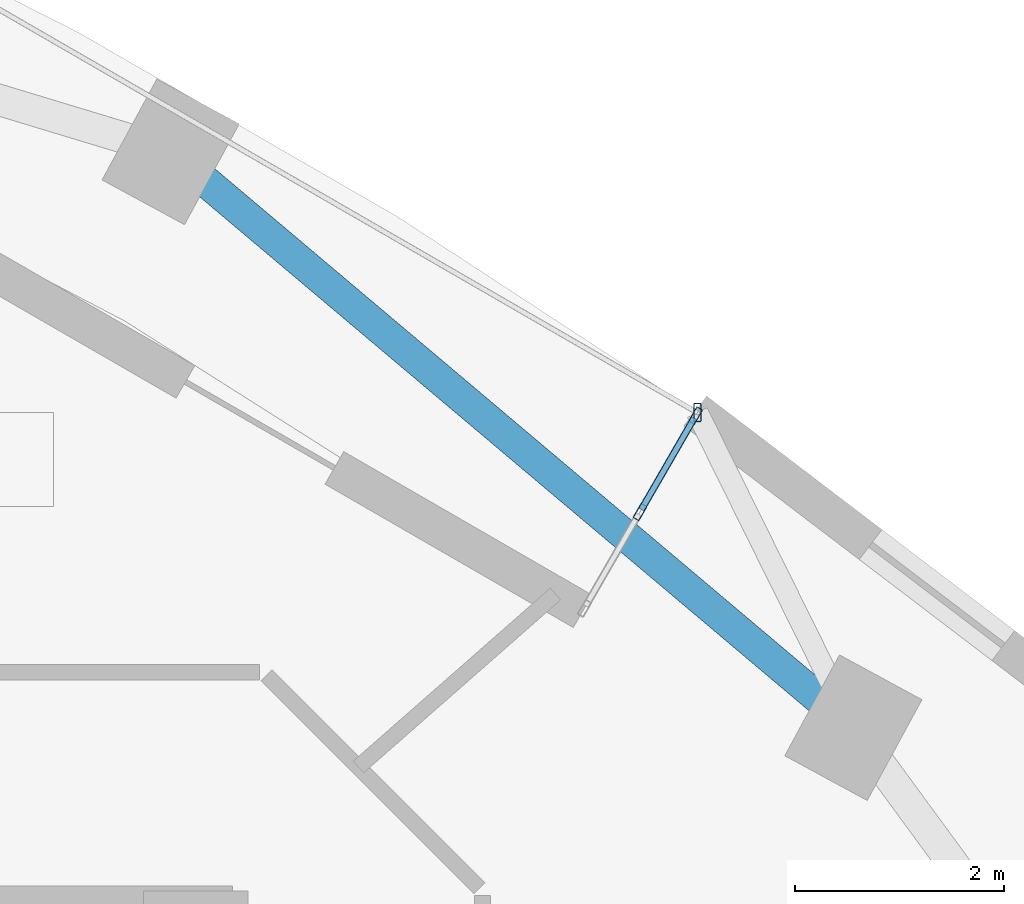
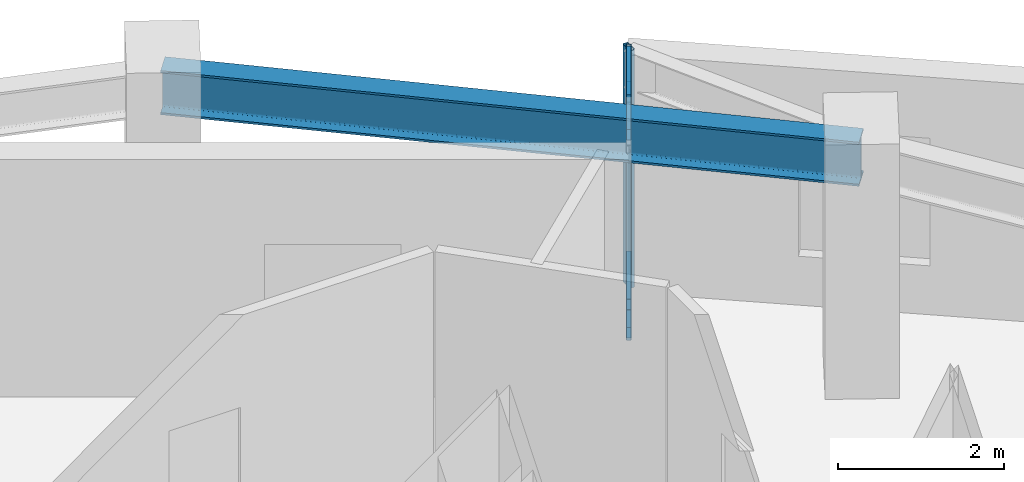
# One storey, part 5 of 13: 7 members, 1 beam, 1 element without a shape of its own.
"""IFC4 building model written with IfcOpenShell, lengths in metres."""

from ifc_helpers import new_model, si_unit, direction, frame, origin, origin_2d, place, context, subcontext, project, spatial, hollow_rectangle, i_section, extrude, material, layer, layer_set, material_profile, profile_set, type_object, element, aggregate, save


model = new_model("IFC4")

# Units and contexts
model_context = context("Model", 3, precision=1e-05, world=origin(), true_north=direction((0.0, 1.0)))
body_context = subcontext(model_context, "Body", "Model", "MODEL_VIEW")
ifc_project = project(units=[si_unit("LENGTHUNIT", "METRE"), si_unit("AREAUNIT", "SQUARE_METRE"), si_unit("VOLUMEUNIT", "CUBIC_METRE"), si_unit("PLANEANGLEUNIT", "RADIAN"), si_unit("MASSUNIT", "GRAM", prefix="KILO")], contexts=[model_context])

# Site, building, storey
site_placement = place(None, origin())
site = spatial("IfcSite", under=ifc_project, at=site_placement, CompositionType="ELEMENT")
building_placement = place(site_placement, origin())
building = spatial("IfcBuilding", under=site, at=building_placement, Name="Ndelora Gate Hotel", CompositionType="ELEMENT")
storey_placement = place(building_placement, frame((0.0, 0.0, 123.5)))
storey = spatial("IfcBuildingStorey", under=building, at=storey_placement, Name="L30", CompositionType="ELEMENT", Elevation=123.5)

# Beam
ifc_material_1 = material(Name="Steel S355", Category="steel")
ifc_material_profile_1 = material_profile(ifc_material_1, i_section(OverallWidth=0.300048828125, OverallDepth=0.64990234375, WebThickness=0.01611328125, FlangeThickness=0.031005859375, FilletRadius=0.027099609375, at=origin_2d()), Name="HEB 650")
ifc_profile_set_1 = profile_set([ifc_material_profile_1], Name="Steel S355")
beam_type = type_object("IfcBeamType", Name="BM-RING-650", PredefinedType="SPANDREL", material=ifc_profile_set_1)
beam_placement = place(storey_placement, frame((14.30712890625, 8.767333984375, 3.175048828125), z_axis=(-0.76440691948, 0.644734101356, 0.0), x_axis=(-0.644734101356, -0.76440691948, 0.0)))
element("IfcBeam", 1, at=beam_placement, inside=storey, type_object=beam_type, Name="L30 Perimeter Spandrel Girder 10", PredefinedType="SPANDREL", context=body_context, shape_type="SweptSolid", body=[
    extrude(i_section(OverallWidth=0.300048828125, OverallDepth=0.64990234375, WebThickness=0.01611328125, FlangeThickness=0.031005859375, FilletRadius=0.027099609375, at=origin_2d()), origin(), (0.0, 0.0, 1.0), 8.566162109375),
])

# Curtain wall, members
ifc_material_2 = material(Name="Bronze Anodised Unitised Aluminium and Low-E Glass", Category="aluminium")
ifc_layer = layer(ifc_material_2, 0.199951171875)
ifc_layer_set = layer_set([ifc_layer], Name="Bronze Anodised Unitised Aluminium and Low-E Glass")
curtain_wall_type = type_object("IfcCurtainWallType", Name="CW-SYS-3", PredefinedType="NOTDEFINED", material=ifc_layer_set)
curtain_wall_placement = place(storey_placement, origin())
curtain_wall = element("IfcCurtainWall", 2, at=curtain_wall_placement, inside=storey, type_object=curtain_wall_type, Name="L30 Sky-Garden Loggia Side Curtain Wall CW3-1", PredefinedType="NOTDEFINED")
ifc_material_3 = material(Name="Bronze Anodised Aluminium 6063-T6", Category="aluminium")
ifc_material_profile_2 = material_profile(ifc_material_3, hollow_rectangle(XDim=0.06494140625, YDim=0.159912109375, WallThickness=0.00390625, InnerFilletRadius=0.00390625, OuterFilletRadius=0.008056640625, at=origin_2d()), Name="ALU 160x65x4")
ifc_profile_set_2 = profile_set([ifc_material_profile_2], Name="Bronze Anodised Aluminium 6063-T6")
member_type_1 = type_object("IfcMemberType", Name="MB-CW-MUL150", PredefinedType="MULLION", material=ifc_profile_set_2)
member_1_placement = place(storey_placement, frame((12.260986328125, 10.8369140625, -0.00390625), z_axis=(0.0, 0.0, 1.0), x_axis=(-0.866019052627, 0.500011000366, 0.0)))
member_1 = element("IfcMember", 3, at=member_1_placement, type_object=member_type_1, Name="CW3 mullion 2", PredefinedType="MULLION", context=body_context, shape_type="SweptSolid", body=[
    extrude(hollow_rectangle(XDim=0.06494140625, YDim=0.159912109375, WallThickness=0.00390625, InnerFilletRadius=0.00390625, OuterFilletRadius=0.008056640625, at=origin_2d()), origin(), (0.0, 0.0, 1.0), 3.5078125),
])
member_2_placement = place(storey_placement, frame((12.794921875, 11.761474609375, -0.00390625), z_axis=(0.0, 0.0, 1.0), x_axis=(-0.866019052627, 0.500011000366, 0.0)))
member_2 = element("IfcMember", 4, at=member_2_placement, type_object=member_type_1, Name="CW3 mullion 3", PredefinedType="MULLION", context=body_context, shape_type="SweptSolid", body=[
    extrude(hollow_rectangle(XDim=0.06494140625, YDim=0.159912109375, WallThickness=0.00390625, InnerFilletRadius=0.00390625, OuterFilletRadius=0.008056640625, at=origin_2d()), origin(), (0.0, 0.0, 1.0), 3.5078125),
])
ifc_material_profile_3 = material_profile(ifc_material_3, hollow_rectangle(XDim=0.070068359375, YDim=0.179931640625, WallThickness=0.0048828125, InnerFilletRadius=0.0048828125, OuterFilletRadius=0.010009765625, at=origin_2d()), Name="ALU 180x70x5")
ifc_profile_set_3 = profile_set([ifc_material_profile_3], Name="Bronze Anodised Aluminium 6063-T6")
member_type_2 = type_object("IfcMemberType", Name="MB-CW-MUL180", PredefinedType="MULLION", material=ifc_profile_set_3)
member_3_placement = place(storey_placement, frame((12.81103515625, 11.78955078125, 0.0), z_axis=(0.0, 0.0, 1.0), x_axis=(1.0, 0.0, 0.0)))
member_3 = element("IfcMember", 5, at=member_3_placement, type_object=member_type_2, Name="L30 Sky-Garden Loggia Corner Mullion Post 1", PredefinedType="MULLION", context=body_context, shape_type="SweptSolid", body=[
    extrude(hollow_rectangle(XDim=0.070068359375, YDim=0.179931640625, WallThickness=0.0048828125, InnerFilletRadius=0.0048828125, OuterFilletRadius=0.010009765625, at=origin_2d()), origin(), (0.0, 0.0, 1.0), 3.5),
])
ifc_material_profile_4 = material_profile(ifc_material_3, hollow_rectangle(XDim=0.06494140625, YDim=0.159912109375, WallThickness=0.00390625, InnerFilletRadius=0.00390625, OuterFilletRadius=0.008056640625, at=origin_2d()), Name="ALU 160x65x4")
ifc_profile_set_4 = profile_set([ifc_material_profile_4], Name="Bronze Anodised Aluminium 6063-T6")
member_type_3 = type_object("IfcMemberType", Name="MB-CW-TRN150", PredefinedType="USERDEFINED", material=ifc_profile_set_4)
member_4_placement = place(storey_placement, frame((12.2744140625, 10.85986328125, 0.032470703125), z_axis=(0.499840506035, 0.866117468088, 0.0), x_axis=(-0.866117468088, 0.499840506035, 0.0)))
member_4 = element("IfcMember", 6, at=member_4_placement, type_object=member_type_3, Name="CW3 transom 2.1", ObjectType="TRANSOM", PredefinedType="USERDEFINED", context=body_context, shape_type="SweptSolid", body=[
    extrude(hollow_rectangle(XDim=0.06494140625, YDim=0.159912109375, WallThickness=0.00390625, InnerFilletRadius=0.00390625, OuterFilletRadius=0.008056640625, at=origin_2d()), origin(), (0.0, 0.0, 1.0), 1.014404296875),
])
member_5_placement = place(storey_placement, frame((12.2744140625, 10.85986328125, 0.449951171875), z_axis=(0.499840506035, 0.866117468088, 0.0), x_axis=(-0.866117468088, 0.499840506035, 0.0)))
member_5 = element("IfcMember", 7, at=member_5_placement, type_object=member_type_3, Name="CW3 transom 2.2", ObjectType="TRANSOM", PredefinedType="USERDEFINED", context=body_context, shape_type="SweptSolid", body=[
    extrude(hollow_rectangle(XDim=0.06494140625, YDim=0.159912109375, WallThickness=0.00390625, InnerFilletRadius=0.00390625, OuterFilletRadius=0.008056640625, at=origin_2d()), origin(), (0.0, 0.0, 1.0), 1.014404296875),
])
member_6_placement = place(storey_placement, frame((12.2744140625, 10.85986328125, 2.949951171875), z_axis=(0.499840506035, 0.866117468088, 0.0), x_axis=(-0.866117468088, 0.499840506035, 0.0)))
member_6 = element("IfcMember", 8, at=member_6_placement, type_object=member_type_3, Name="CW3 transom 2.3", ObjectType="TRANSOM", PredefinedType="USERDEFINED", context=body_context, shape_type="SweptSolid", body=[
    extrude(hollow_rectangle(XDim=0.06494140625, YDim=0.159912109375, WallThickness=0.00390625, InnerFilletRadius=0.00390625, OuterFilletRadius=0.008056640625, at=origin_2d()), origin(), (0.0, 0.0, 1.0), 1.014404296875),
])
member_7_placement = place(storey_placement, frame((12.2744140625, 10.85986328125, 3.467529296875), z_axis=(0.499840506035, 0.866117468088, 0.0), x_axis=(-0.866117468088, 0.499840506035, 0.0)))
member_7 = element("IfcMember", 9, at=member_7_placement, type_object=member_type_3, Name="CW3 transom 2.4", ObjectType="TRANSOM", PredefinedType="USERDEFINED", context=body_context, shape_type="SweptSolid", body=[
    extrude(hollow_rectangle(XDim=0.06494140625, YDim=0.159912109375, WallThickness=0.00390625, InnerFilletRadius=0.00390625, OuterFilletRadius=0.008056640625, at=origin_2d()), origin(), (0.0, 0.0, 1.0), 1.014404296875),
])
aggregate(curtain_wall, [member_1, member_2, member_4, member_5, member_6, member_7, member_3])

save(model, "model.ifc")
